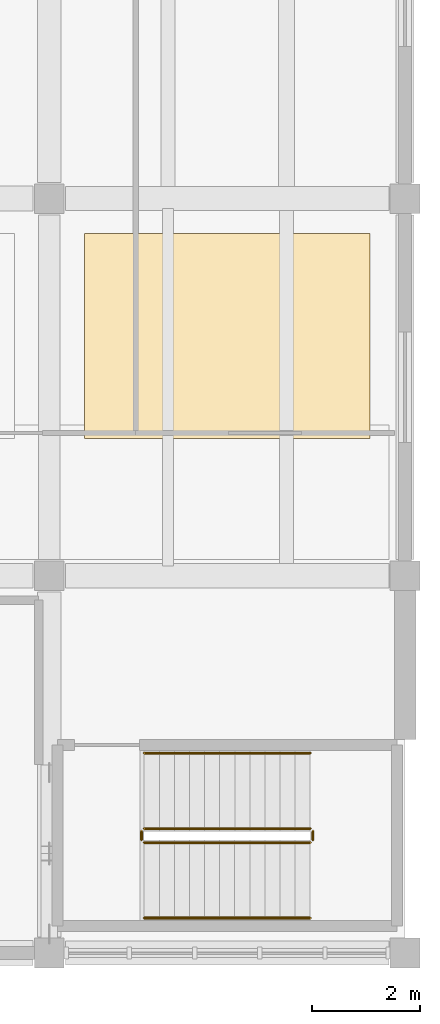
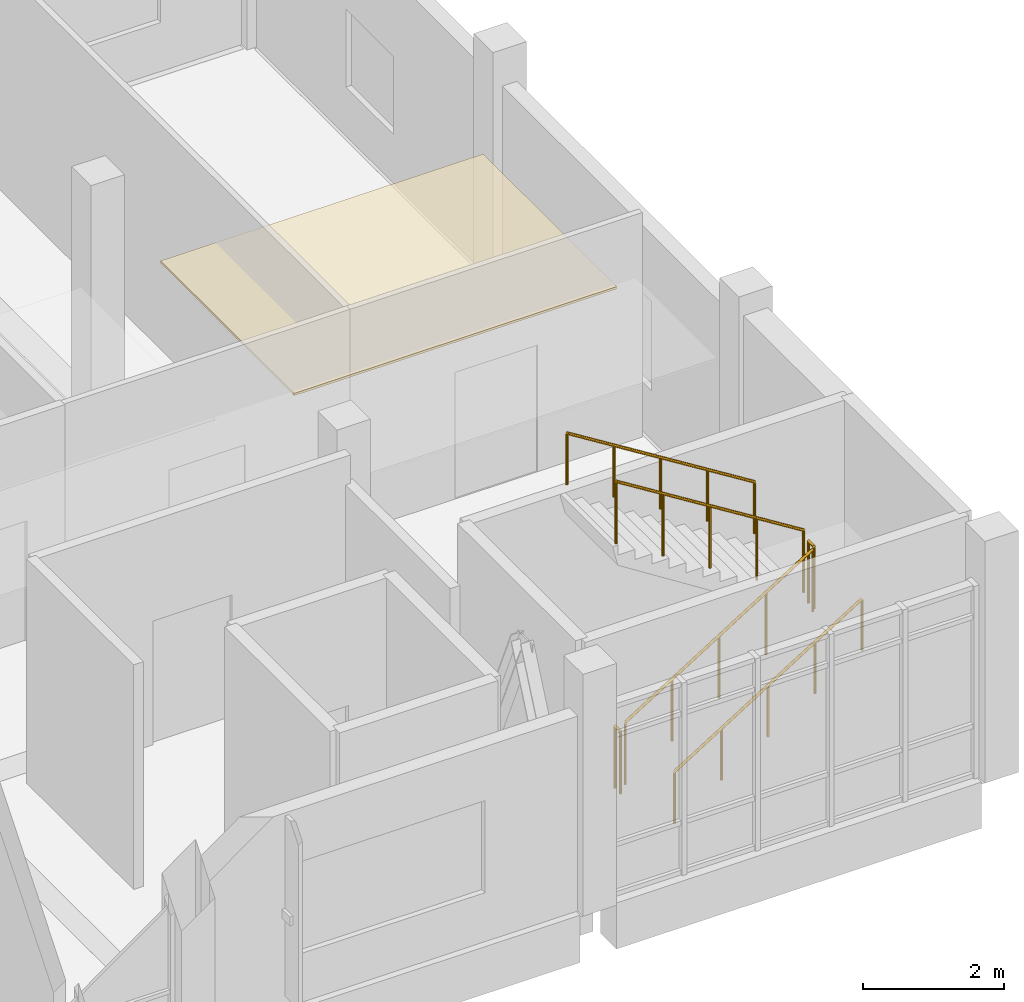
# One storey, part 12 of 12: 6 railings, 1 covering.
"""IFC4 building model written with IfcOpenShell, lengths in metres."""

from ifc_helpers import new_model, si_unit, direction, frame, origin, origin_2d, place, context, subcontext, project, spatial, polyline, circle, outline, extrude, material, layer, layer_set, type_object, element, save


model = new_model("IFC4")

# Units and contexts
model_context = context("Model", 3, precision=1e-05, world=origin(), true_north=direction((0.0, 1.0)))
body_context = subcontext(model_context, "Body", "Model", "MODEL_VIEW")
ifc_project = project(units=[si_unit("LENGTHUNIT", "METRE"), si_unit("AREAUNIT", "SQUARE_METRE"), si_unit("VOLUMEUNIT", "CUBIC_METRE"), si_unit("PLANEANGLEUNIT", "RADIAN"), si_unit("MASSUNIT", "GRAM", prefix="KILO")], contexts=[model_context])

# Site, building, storey
site_placement = place(None, origin())
site = spatial("IfcSite", under=ifc_project, at=site_placement, CompositionType="ELEMENT")
building_placement = place(site_placement, origin())
building = spatial("IfcBuilding", under=site, at=building_placement, Name="Ciguamira Faculty of Natural Sciences", CompositionType="ELEMENT")
storey_placement = place(building_placement, frame((0.0, 0.0, 37.800048828125)))
storey = spatial("IfcBuildingStorey", under=building, at=storey_placement, Name="L09", CompositionType="ELEMENT", Elevation=37.800048828125)

# Covering
ifc_material_1 = material(Name="Perforated white acoustic ceiling")
ifc_layer = layer(ifc_material_1, 0.0400390625, Name="Perforated white acoustic ceiling")
ifc_layer_set = layer_set([ifc_layer], Name="Perforated white acoustic ceiling")
covering_type = type_object("IfcCoveringType", Name="AcousticCeiling_AC01", PredefinedType="CEILING", material=ifc_layer_set)
covering_placement = place(storey_placement, frame((0.0, 0.0, 2.760009765625)))
element("IfcCovering", 1, at=covering_placement, inside=storey, type_object=covering_type, Name="L09 research bay 04 acoustic ceiling", PredefinedType="CEILING", context=body_context, shape_type="SweptSolid", body=[
    extrude(outline(polyline([(97.550048828125, 103.550048828125), (102.85009765625, 103.550048828125), (102.85009765625, 107.35009765625), (97.550048828125, 107.35009765625), (97.550048828125, 103.550048828125)])), origin(), (0.0, 0.0, 1.0), 0.0400390625),
])

# Railings
ifc_material_2 = material(Name="Stainless steel balustrade", Category="steel")
railing_type_1 = type_object("IfcRailingType", Name="Guardrail_GR01", PredefinedType="GUARDRAIL", material=ifc_material_2)
railing_1_placement = place(storey_placement, frame((98.659912109375, 96.050048828125, 0.175048828125)))
element("IfcRailing", 2, at=railing_1_placement, inside=storey, type_object=railing_type_1, Name="L09 ST-T2 stair guard 1", PredefinedType="GUARDRAIL", context=body_context, shape_type="SweptSolid", body=[
    extrude(circle(Radius=0.02392578125, at=origin_2d()), frame((0.0, 0.0, 1.076171875), z_axis=(0.848028513186, 0.0, 0.529950602248), x_axis=(0.0, 1.0, 0.0)), (0.0, 0.0, 1.0), 3.632080078125),
    extrude(circle(Radius=0.02099609375, at=origin_2d()), origin(), (0.0, 0.0, 1.0), 1.052001953125),
    extrude(circle(Radius=0.02099609375, at=origin_2d()), frame((0.77001953125, 0.0, 0.481201171875)), (0.0, 0.0, 1.0), 1.052001953125),
    extrude(circle(Radius=0.02099609375, at=origin_2d()), frame((1.5400390625, 0.0, 0.96240234375)), (0.0, 0.0, 1.0), 1.052001953125),
    extrude(circle(Radius=0.02099609375, at=origin_2d()), frame((2.31005859375, 0.0, 1.443603515625)), (0.0, 0.0, 1.0), 1.052001953125),
    extrude(circle(Radius=0.02099609375, at=origin_2d()), frame((3.080078125, 0.0, 1.9248046875)), (0.0, 0.0, 1.0), 1.052001953125),
])
railing_2_placement = place(storey_placement, frame((101.7900390625, 96.10009765625, 2.099853515625)))
element("IfcRailing", 3, at=railing_2_placement, inside=storey, type_object=railing_type_1, Name="L09 ST-T2 stair guard 2", PredefinedType="GUARDRAIL", context=body_context, shape_type="SweptSolid", body=[
    extrude(circle(Radius=0.02392578125, at=origin_2d()), frame((0.0, 0.0, 1.076171875), z_axis=(0.0, 1.0, 0.0), x_axis=(-1.0, 0.0, 0.0)), (0.0, 0.0, 1.0), 0.159912109375),
    extrude(circle(Radius=0.02099609375, at=origin_2d()), origin(), (0.0, 0.0, 1.0), 1.052001953125),
    extrude(circle(Radius=0.02099609375, at=origin_2d()), frame((0.0, 0.159912109375, 0.0)), (0.0, 0.0, 1.0), 1.052001953125),
])
railing_3_placement = place(storey_placement, frame((101.739990234375, 96.31005859375, 2.27490234375)))
element("IfcRailing", 4, at=railing_3_placement, inside=storey, type_object=railing_type_1, Name="L09 ST-T2 stair guard 3", PredefinedType="GUARDRAIL", context=body_context, shape_type="SweptSolid", body=[
    extrude(circle(Radius=0.02392578125, at=origin_2d()), frame((0.0, 0.0, 1.076171875), z_axis=(-0.847998304005, 0.0, 0.529998940003), x_axis=(0.0, -1.0, 0.0)), (0.0, 0.0, 1.0), 3.632080078125),
    extrude(circle(Radius=0.02099609375, at=origin_2d()), origin(), (0.0, 0.0, 1.0), 1.052001953125),
    extrude(circle(Radius=0.02099609375, at=origin_2d()), frame((-0.77001953125, 0.0, 0.481201171875)), (0.0, 0.0, 1.0), 1.052001953125),
    extrude(circle(Radius=0.02099609375, at=origin_2d()), frame((-1.5400390625, 0.0, 0.96240234375)), (0.0, 0.0, 1.0), 1.052001953125),
    extrude(circle(Radius=0.02099609375, at=origin_2d()), frame((-2.31005859375, 0.0, 1.44384765625)), (0.0, 0.0, 1.0), 1.052001953125),
    extrude(circle(Radius=0.02099609375, at=origin_2d()), frame((-3.080078125, 0.0, 1.925048828125)), (0.0, 0.0, 1.0), 1.052001953125),
])
railing_4_placement = place(storey_placement, frame((98.610107421875, 96.10009765625, 0.0)))
element("IfcRailing", 5, at=railing_4_placement, inside=storey, type_object=railing_type_1, Name="L09 ST-T2 stair guard 4", PredefinedType="GUARDRAIL", context=body_context, shape_type="SweptSolid", body=[
    extrude(circle(Radius=0.02392578125, at=origin_2d()), frame((0.0, 0.0, 1.076171875), z_axis=(0.0, 1.0, 0.0), x_axis=(-1.0, 0.0, 0.0)), (0.0, 0.0, 1.0), 0.159912109375),
    extrude(circle(Radius=0.02099609375, at=origin_2d()), origin(), (0.0, 0.0, 1.0), 1.052001953125),
    extrude(circle(Radius=0.02099609375, at=origin_2d()), frame((0.0, 0.159912109375, 0.0)), (0.0, 0.0, 1.0), 1.052001953125),
])
ifc_material_3 = material(Name="Stainless steel handrail", Category="steel")
railing_type_2 = type_object("IfcRailingType", Name="Handrail_HR01", PredefinedType="HANDRAIL", material=ifc_material_3)
railing_5_placement = place(storey_placement, frame((98.659912109375, 94.64990234375, 0.349853515625)))
element("IfcRailing", 6, at=railing_5_placement, inside=storey, type_object=railing_type_2, Name="L09 ST-T2 stair handrail 1", PredefinedType="HANDRAIL", context=body_context, shape_type="SweptSolid", body=[
    extrude(circle(Radius=0.02392578125, at=origin_2d()), frame((0.0, 0.0, 0.89111328125), z_axis=(0.847998304005, 0.0, 0.529998940003), x_axis=(0.0, 1.0, 0.0)), (0.0, 0.0, 1.0), 3.632080078125),
    extrude(circle(Radius=0.02099609375, at=origin_2d()), origin(), (0.0, 0.0, 1.0), 0.866943359375),
    extrude(circle(Radius=0.02099609375, at=origin_2d()), frame((0.77001953125, 0.0, 0.481201171875)), (0.0, 0.0, 1.0), 0.866943359375),
    extrude(circle(Radius=0.02099609375, at=origin_2d()), frame((1.5400390625, 0.0, 0.96240234375)), (0.0, 0.0, 1.0), 0.866943359375),
    extrude(circle(Radius=0.02099609375, at=origin_2d()), frame((2.31005859375, 0.0, 1.44384765625)), (0.0, 0.0, 1.0), 0.866943359375),
    extrude(circle(Radius=0.02099609375, at=origin_2d()), frame((3.080078125, 0.0, 1.925048828125)), (0.0, 0.0, 1.0), 0.866943359375),
])
railing_6_placement = place(storey_placement, frame((101.739990234375, 97.7099609375, 2.449951171875)))
element("IfcRailing", 7, at=railing_6_placement, inside=storey, type_object=railing_type_2, Name="L09 ST-T2 stair handrail 2", PredefinedType="HANDRAIL", context=body_context, shape_type="SweptSolid", body=[
    extrude(circle(Radius=0.02392578125, at=origin_2d()), frame((0.0, 0.0, 0.89111328125), z_axis=(-0.847998304005, 0.0, 0.529998940003), x_axis=(0.0, -1.0, 0.0)), (0.0, 0.0, 1.0), 3.632080078125),
    extrude(circle(Radius=0.02099609375, at=origin_2d()), origin(), (0.0, 0.0, 1.0), 0.866943359375),
    extrude(circle(Radius=0.02099609375, at=origin_2d()), frame((-0.77001953125, 0.0, 0.481201171875)), (0.0, 0.0, 1.0), 0.866943359375),
    extrude(circle(Radius=0.02099609375, at=origin_2d()), frame((-1.5400390625, 0.0, 0.96240234375)), (0.0, 0.0, 1.0), 0.866943359375),
    extrude(circle(Radius=0.02099609375, at=origin_2d()), frame((-2.31005859375, 0.0, 1.44384765625)), (0.0, 0.0, 1.0), 0.866943359375),
    extrude(circle(Radius=0.02099609375, at=origin_2d()), frame((-3.080078125, 0.0, 1.925048828125)), (0.0, 0.0, 1.0), 0.866943359375),
])

save(model, "model.ifc")
